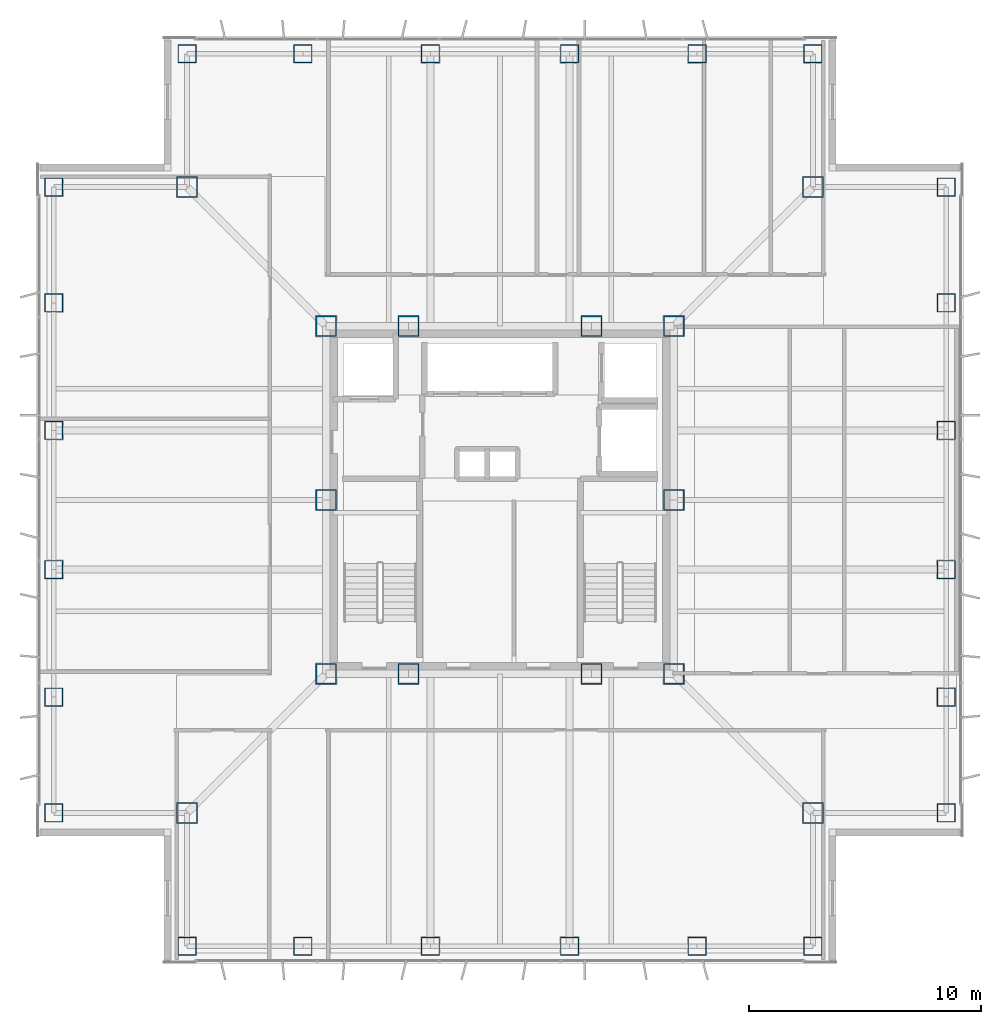
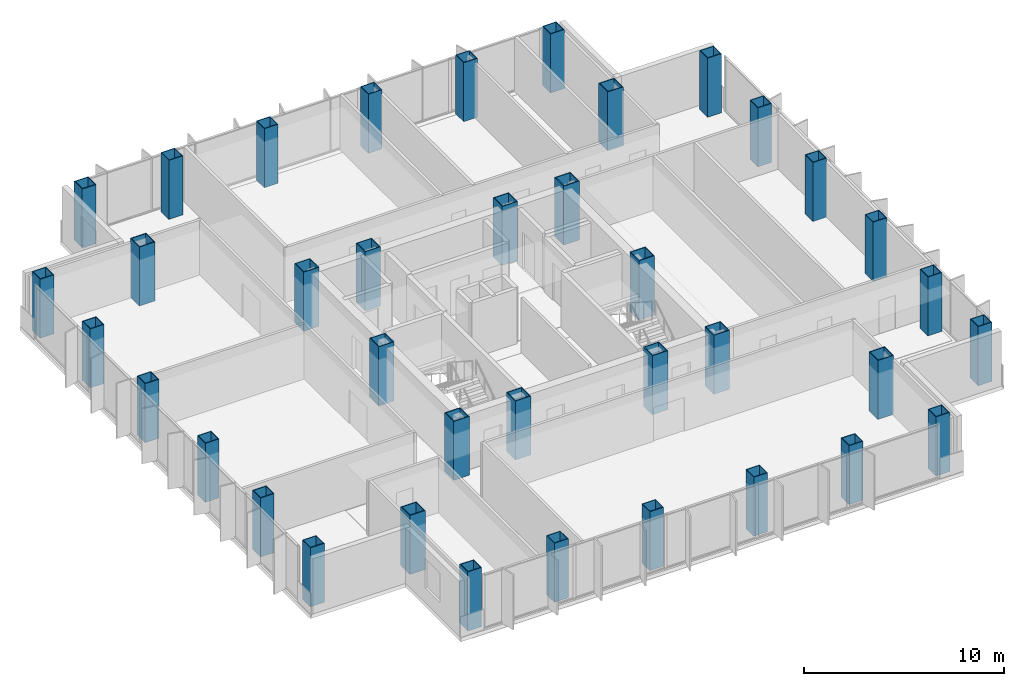
# One storey, part 1 of 17: 38 columns.
"""IFC4 building model written with IfcOpenShell, lengths in metres."""

from ifc_helpers import new_model, si_unit, direction, frame, origin, origin_2d, place, context, subcontext, project, spatial, hollow_rectangle, extrude, material, material_profile, profile_set, type_object, element, save


model = new_model("IFC4")

# Units and contexts
model_context = context("Model", 3, precision=1e-05, world=origin(), true_north=direction((0.0, 1.0)))
body_context = subcontext(model_context, "Body", "Model", "MODEL_VIEW")
ifc_project = project(units=[si_unit("LENGTHUNIT", "METRE"), si_unit("AREAUNIT", "SQUARE_METRE"), si_unit("VOLUMEUNIT", "CUBIC_METRE"), si_unit("PLANEANGLEUNIT", "RADIAN"), si_unit("MASSUNIT", "GRAM", prefix="KILO")], contexts=[model_context])

# Site, building, storey
site_placement = place(None, origin())
site = spatial("IfcSite", under=ifc_project, at=site_placement, CompositionType="ELEMENT")
building_placement = place(site_placement, origin())
building = spatial("IfcBuilding", under=site, at=building_placement, Name="Trevonay Congress Spire", CompositionType="ELEMENT")
storey_placement = place(building_placement, frame((0.0, 0.0, 184.199951171875)))
storey = spatial("IfcBuildingStorey", under=building, at=storey_placement, Name="L47", CompositionType="ELEMENT", Elevation=184.199951171875)

# Columns
ifc_material = material(Name="Steel ASTM A572 Grade 50", Category="steel")
ifc_material_profile_1 = material_profile(ifc_material, hollow_rectangle(XDim=0.89990234375, YDim=0.89990234375, WallThickness=0.044921875, at=origin_2d()), Name="BOX 900x900x45")
ifc_profile_set_1 = profile_set([ifc_material_profile_1], Name="Steel ASTM A572 Grade 50")
column_type_1 = type_object("IfcColumnType", Name="COL-CORE-BOX900", PredefinedType="COLUMN", material=ifc_profile_set_1)
for number, where, z_axis, x_axis, name in (
    (1, (-7.5, -7.5, 0.0), (0.0, 0.0, 1.0), (1.0, 0.0, 0.0), "L47 column C04 at CC-SW"),
    (2, (-3.949951171875, -7.5, 0.0), (0.0, 0.0, 1.0), (1.0, 0.0, 0.0), "L47 column C04 at CC-SMW"),
    (3, (3.949951171875, -7.5, 0.0), (0.0, 0.0, 1.0), (1.0, 0.0, 0.0), "L47 column C04 at CC-SME"),
    (4, (7.5, -7.5, 0.0), (0.0, 0.0, 1.0), (1.0, 0.0, 0.0), "L47 column C04 at CC-SE"),
    (5, (7.5, 0.0, 0.0), (0.0, 0.0, 1.0), (1.0, 0.0, 0.0), "L47 column C04 at CC-E"),
    (6, (7.5, 7.5, 0.0), (0.0, 0.0, 1.0), (1.0, 0.0, 0.0), "L47 column C04 at CC-NE"),
    (7, (3.949951171875, 7.5, 0.0), (0.0, 0.0, 1.0), (1.0, 0.0, 0.0), "L47 column C04 at CC-NME"),
    (8, (-3.949951171875, 7.5, 0.0), (0.0, 0.0, 1.0), (1.0, 0.0, 0.0), "L47 column C04 at CC-NMW"),
    (9, (-7.5, 7.5, 0.0), (0.0, 0.0, 1.0), (1.0, 0.0, 0.0), "L47 column C04 at CC-NW"),
    (10, (-7.5, 0.0, 0.0), (0.0, 0.0, 1.0), (1.0, 0.0, 0.0), "L47 column C04 at CC-W"),
):
    element("IfcColumn", number, at=place(storey_placement, frame(where, z_axis=z_axis, x_axis=x_axis)), inside=storey, type_object=column_type_1, Name=name, PredefinedType="COLUMN", context=body_context, shape_type="SweptSolid", body=[
        extrude(hollow_rectangle(XDim=0.89990234375, YDim=0.89990234375, WallThickness=0.044921875, at=origin_2d()), origin(), (0.0, 0.0, 1.0), 3.60009765625),
    ])
ifc_material_profile_2 = material_profile(ifc_material, hollow_rectangle(XDim=0.800048828125, YDim=0.800048828125, WallThickness=0.0400390625, at=origin_2d()), Name="BOX 800x800x40")
ifc_profile_set_2 = profile_set([ifc_material_profile_2], Name="Steel ASTM A572 Grade 50")
column_type_2 = type_object("IfcColumnType", Name="COL-TUBE-BOX800", PredefinedType="COLUMN", material=ifc_profile_set_2)
for number, where, z_axis, x_axis, name in (
    (11, (-13.5, -19.25, 0.0), (0.0, 0.0, 1.0), (1.0, 0.0, 0.0), "L47 column C16 at TS-1"),
    (12, (-13.5, 19.25, 0.0), (0.0, 0.0, 1.0), (1.0, 0.0, 0.0), "L47 column C16 at TN-1"),
    (13, (-19.25, -13.5, 0.0), (0.0, 0.0, 1.0), (1.0, 0.0, 0.0), "L47 column C16 at TW-1"),
    (14, (19.25, -13.5, 0.0), (0.0, 0.0, 1.0), (1.0, 0.0, 0.0), "L47 column C16 at TE-1"),
    (15, (-8.5, -19.25, 0.0), (0.0, 0.0, 1.0), (1.0, 0.0, 0.0), "L47 column C16 at TS-2"),
    (16, (-8.5, 19.25, 0.0), (0.0, 0.0, 1.0), (1.0, 0.0, 0.0), "L47 column C16 at TN-2"),
    (17, (-19.25, -8.5, 0.0), (0.0, 0.0, 1.0), (1.0, 0.0, 0.0), "L47 column C16 at TW-2"),
    (18, (19.25, -8.5, 0.0), (0.0, 0.0, 1.0), (1.0, 0.0, 0.0), "L47 column C16 at TE-2"),
    (19, (-3.0, -19.25, 0.0), (0.0, 0.0, 1.0), (1.0, 0.0, 0.0), "L47 column C16 at TS-3"),
    (20, (-3.0, 19.25, 0.0), (0.0, 0.0, 1.0), (1.0, 0.0, 0.0), "L47 column C16 at TN-3"),
    (21, (-19.25, -3.0, 0.0), (0.0, 0.0, 1.0), (1.0, 0.0, 0.0), "L47 column C16 at TW-3"),
    (22, (19.25, -3.0, 0.0), (0.0, 0.0, 1.0), (1.0, 0.0, 0.0), "L47 column C16 at TE-3"),
    (23, (3.0, -19.25, 0.0), (0.0, 0.0, 1.0), (1.0, 0.0, 0.0), "L47 column C16 at TS-4"),
    (24, (3.0, 19.25, 0.0), (0.0, 0.0, 1.0), (1.0, 0.0, 0.0), "L47 column C16 at TN-4"),
    (25, (-19.25, 3.0, 0.0), (0.0, 0.0, 1.0), (1.0, 0.0, 0.0), "L47 column C16 at TW-4"),
    (26, (19.25, 3.0, 0.0), (0.0, 0.0, 1.0), (1.0, 0.0, 0.0), "L47 column C16 at TE-4"),
    (27, (8.5, -19.25, 0.0), (0.0, 0.0, 1.0), (1.0, 0.0, 0.0), "L47 column C16 at TS-5"),
    (28, (8.5, 19.25, 0.0), (0.0, 0.0, 1.0), (1.0, 0.0, 0.0), "L47 column C16 at TN-5"),
    (29, (-19.25, 8.5, 0.0), (0.0, 0.0, 1.0), (1.0, 0.0, 0.0), "L47 column C16 at TW-5"),
    (30, (19.25, 8.5, 0.0), (0.0, 0.0, 1.0), (1.0, 0.0, 0.0), "L47 column C16 at TE-5"),
    (31, (13.5, -19.25, 0.0), (0.0, 0.0, 1.0), (1.0, 0.0, 0.0), "L47 column C16 at TS-6"),
    (32, (13.5, 19.25, 0.0), (0.0, 0.0, 1.0), (1.0, 0.0, 0.0), "L47 column C16 at TN-6"),
    (33, (-19.25, 13.5, 0.0), (0.0, 0.0, 1.0), (1.0, 0.0, 0.0), "L47 column C16 at TW-6"),
    (34, (19.25, 13.5, 0.0), (0.0, 0.0, 1.0), (1.0, 0.0, 0.0), "L47 column C16 at TE-6"),
):
    element("IfcColumn", number, at=place(storey_placement, frame(where, z_axis=z_axis, x_axis=x_axis)), inside=storey, type_object=column_type_2, Name=name, PredefinedType="COLUMN", context=body_context, shape_type="SweptSolid", body=[
        extrude(hollow_rectangle(XDim=0.800048828125, YDim=0.800048828125, WallThickness=0.0400390625, at=origin_2d()), origin(), (0.0, 0.0, 1.0), 3.60009765625),
    ])
ifc_material_profile_3 = material_profile(ifc_material, hollow_rectangle(XDim=0.89990234375, YDim=0.89990234375, WallThickness=0.044921875, at=origin_2d()), Name="BOX 900x900x45")
ifc_profile_set_3 = profile_set([ifc_material_profile_3], Name="Steel ASTM A572 Grade 50")
column_type_3 = type_object("IfcColumnType", Name="COL-TUBE-BOX900", PredefinedType="COLUMN", material=ifc_profile_set_3)
for number, where, z_axis, x_axis, name in (
    (35, (-13.5, -13.5, 0.0), (0.0, 0.0, 1.0), (1.0, 0.0, 0.0), "L47 column C15 at NC-SW"),
    (36, (13.5, -13.5, 0.0), (0.0, 0.0, 1.0), (1.0, 0.0, 0.0), "L47 column C15 at NC-SE"),
    (37, (13.5, 13.5, 0.0), (0.0, 0.0, 1.0), (1.0, 0.0, 0.0), "L47 column C15 at NC-NE"),
    (38, (-13.5, 13.5, 0.0), (0.0, 0.0, 1.0), (1.0, 0.0, 0.0), "L47 column C15 at NC-NW"),
):
    element("IfcColumn", number, at=place(storey_placement, frame(where, z_axis=z_axis, x_axis=x_axis)), inside=storey, type_object=column_type_3, Name=name, PredefinedType="COLUMN", context=body_context, shape_type="SweptSolid", body=[
        extrude(hollow_rectangle(XDim=0.89990234375, YDim=0.89990234375, WallThickness=0.044921875, at=origin_2d()), origin(), (0.0, 0.0, 1.0), 3.60009765625),
    ])

save(model, "model.ifc")
